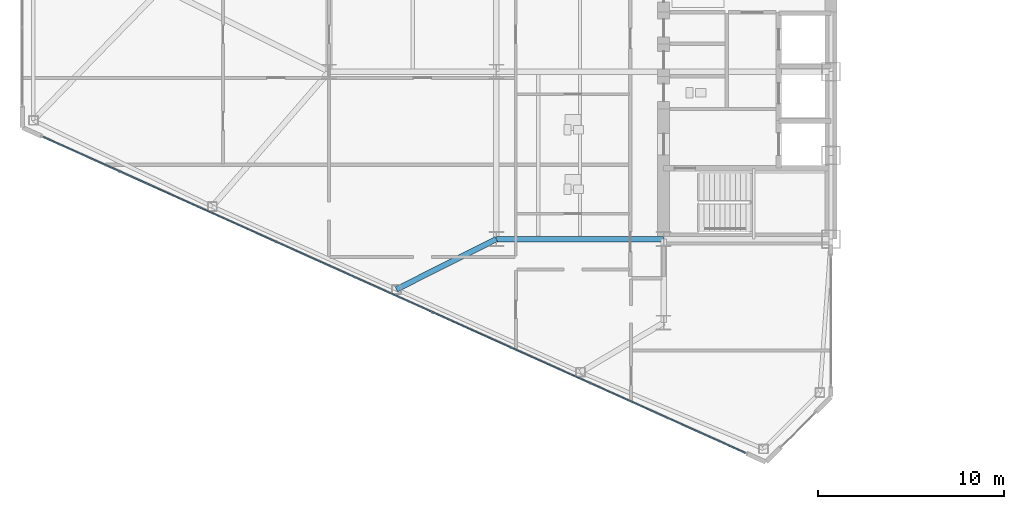
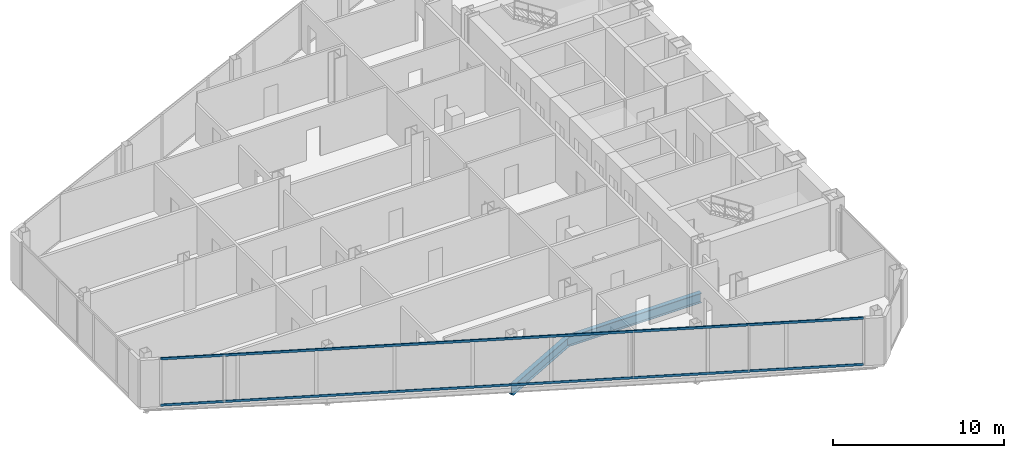
# One storey, part 4 of 27: 2 beams, 2 members, 1 element without a shape of its own.
"""IFC4 building model written with IfcOpenShell, lengths in metres."""

from ifc_helpers import new_model, si_unit, direction, frame, origin, origin_2d, place, context, subcontext, project, spatial, rectangle, i_section, extrude, source, transform, mapped, material, layer, layer_set, material_profile, profile_set, type_object, type_shapes, element, aggregate, save


model = new_model("IFC4")

# Units and contexts
model_context = context("Model", 3, precision=1e-05, world=origin(), true_north=direction((0.0, 1.0)))
body_context = subcontext(model_context, "Body", "Model", "MODEL_VIEW")
ifc_project = project(units=[si_unit("LENGTHUNIT", "METRE"), si_unit("AREAUNIT", "SQUARE_METRE"), si_unit("VOLUMEUNIT", "CUBIC_METRE"), si_unit("PLANEANGLEUNIT", "RADIAN"), si_unit("MASSUNIT", "GRAM", prefix="KILO")], contexts=[model_context])

# Site, building, storey
site_placement = place(None, origin())
site = spatial("IfcSite", under=ifc_project, at=site_placement, CompositionType="ELEMENT")
building_placement = place(site_placement, origin())
building = spatial("IfcBuilding", under=site, at=building_placement, Name="Seokmaru Belvedere", CompositionType="ELEMENT")
storey_placement = place(building_placement, frame((0.0, 0.0, 76.5)))
storey = spatial("IfcBuildingStorey", under=building, at=storey_placement, Name="L20", CompositionType="ELEMENT", Elevation=76.5)

# Beams
ifc_material_1 = material(Name="Steel SM355 (355 MPa)", Category="steel")
ifc_material_profile_1 = material_profile(ifc_material_1, i_section(OverallWidth=0.300048828125, OverallDepth=0.699951171875, WebThickness=0.012939453125, FlangeThickness=0.02392578125, at=origin_2d()), Name="H-700x300x13x24")
ifc_profile_set_1 = profile_set([ifc_material_profile_1], Name="Steel SM355 (355 MPa)")
beam_type = type_object("IfcBeamType", Name="Primary Floor Girder H-700", PredefinedType="BEAM", material=ifc_profile_set_1)
shared_shape_1 = source(origin(), body_context, "Body", "SweptSolid", [
    extrude(i_section(OverallWidth=0.300048828125, OverallDepth=0.699951171875, WebThickness=0.012939453125, FlangeThickness=0.02392578125, at=origin_2d()), origin(), (0.0, 0.0, 1.0), 9.0),
])
beam_1_placement = place(storey_placement, frame((-45.5, -13.5, -0.570068359375), z_axis=(1.0, 0.0, 0.0), x_axis=(0.0, 1.0, 0.0)))
element("IfcBeam", 1, at=beam_1_placement, inside=storey, type_object=beam_type, Name="L20 W Wing Primary Girder 1", PredefinedType="BEAM", context=body_context, shape_type="MappedRepresentation", body=[
    mapped(shared_shape_1, transform((0.0, 0.0, 0.0), scale=1.0)),
])
shared_shape_2 = source(origin(), body_context, "Body", "SweptSolid", [
    extrude(i_section(OverallWidth=0.300048828125, OverallDepth=0.699951171875, WebThickness=0.012939453125, FlangeThickness=0.02392578125, at=origin_2d()), origin(), (0.0, 0.0, 1.0), 6.017333984375),
])
type_shapes(beam_type, [shared_shape_1, shared_shape_2])
beam_2_placement = place(storey_placement, frame((-50.875, -16.205322265625, -0.570068359375), z_axis=(0.893239341975, 0.449581447512, 0.0), x_axis=(-0.449581447512, 0.893239341975, 0.0)))
element("IfcBeam", 2, at=beam_2_placement, inside=storey, type_object=beam_type, Name="L20 W Flank Radial Floor Girder S-2", PredefinedType="BEAM", context=body_context, shape_type="MappedRepresentation", body=[
    mapped(shared_shape_2, transform((0.0, 0.0, 0.0), scale=1.0)),
])

# Curtain wall, members
ifc_material_2 = material(Name="Bronze Triple Insulating Glass", Category="glass")
ifc_layer = layer(ifc_material_2, 0.195068359375)
ifc_layer_set = layer_set([ifc_layer], Name="Bronze Triple Insulating Glass")
curtain_wall_type = type_object("IfcCurtainWallType", Name="Lower-Mid Tapered Curtain Wall System CW-3", PredefinedType="NOTDEFINED", material=ifc_layer_set)
curtain_wall_placement = place(storey_placement, origin())
curtain_wall = element("IfcCurtainWall", 3, at=curtain_wall_placement, inside=storey, type_object=curtain_wall_type, Name="L20 Curtain Wall WF5", PredefinedType="NOTDEFINED")
ifc_material_3 = material(Name="Anodised Bronze Aluminium", Category="aluminium")
ifc_material_profile_2 = material_profile(ifc_material_3, rectangle(XDim=0.070068359375, YDim=0.1650390625, at=origin_2d()), Name="CW-T-70x165")
ifc_profile_set_2 = profile_set([ifc_material_profile_2], Name="Anodised Bronze Aluminium")
member_type = type_object("IfcMemberType", Name="Bronze Unitised Transom 70x165", PredefinedType="USERDEFINED", material=ifc_profile_set_2)
shared_shape_3 = source(origin(), body_context, "Body", "SweptSolid", [
    extrude(rectangle(XDim=0.070068359375, YDim=0.1650390625, at=origin_2d()), origin(), (0.0, 0.0, 1.0), 41.423583984375),
])
type_shapes(member_type, [shared_shape_3])
member_1_placement = place(storey_placement, frame((-69.887451171875, -8.00048828125, 0.034912109375), z_axis=(0.911918637916, -0.410371048956, 0.0), x_axis=(0.410371048956, 0.911918637916, 0.0)))
member_1 = element("IfcMember", 4, at=member_1_placement, type_object=member_type, Name="CW:L20:WF5 Continuous Transom 1", ObjectType="TRANSOM", PredefinedType="USERDEFINED", context=body_context, shape_type="MappedRepresentation", body=[
    mapped(shared_shape_3, transform((0.0, 0.0, 0.0), scale=1.0)),
])
member_2_placement = place(storey_placement, frame((-69.887451171875, -8.00048828125, 3.344970703125), z_axis=(0.911918637916, -0.410371048956, 0.0), x_axis=(0.410371048956, 0.911918637916, 0.0)))
member_2 = element("IfcMember", 5, at=member_2_placement, type_object=member_type, Name="CW:L20:WF5 Continuous Transom 2", ObjectType="TRANSOM", PredefinedType="USERDEFINED", context=body_context, shape_type="MappedRepresentation", body=[
    mapped(shared_shape_3, transform((0.0, 0.0, 0.0), scale=1.0)),
])
aggregate(curtain_wall, [member_1, member_2])

save(model, "model.ifc")
